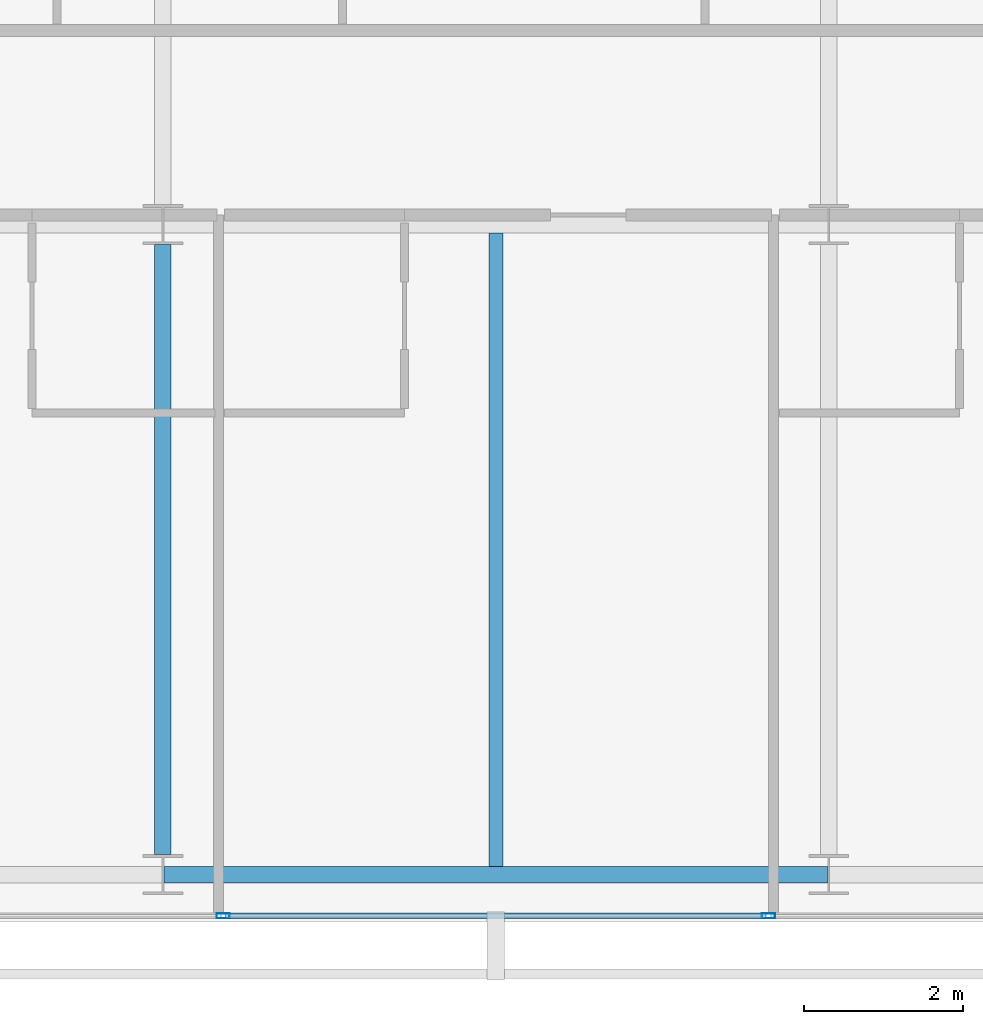
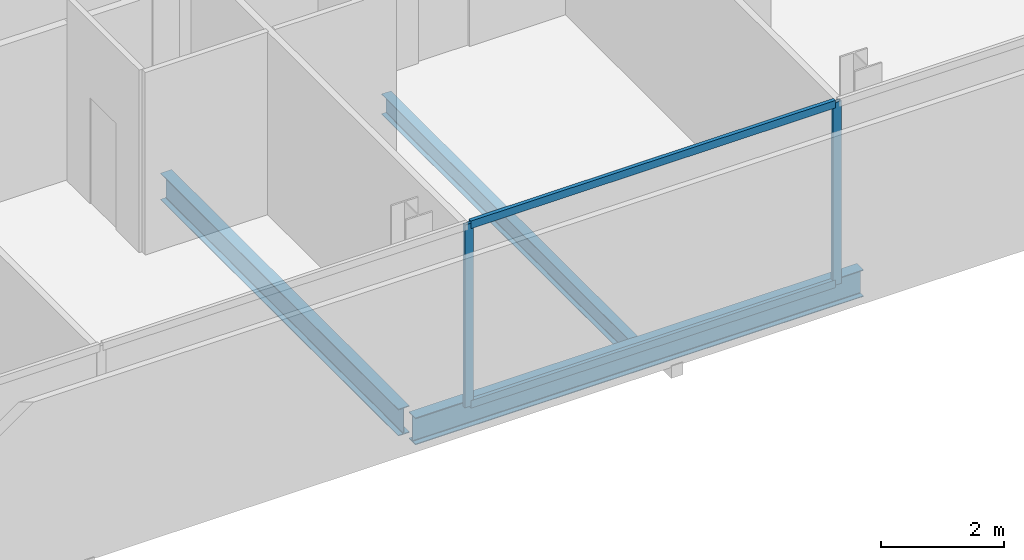
# One storey, part 6 of 26: 4 members, 3 beams, 1 element without a shape of its own.
"""IFC4 building model written with IfcOpenShell, lengths in metres."""

import ifcopenshell
import ifcopenshell.guid

model = None  # the IFC model being written
_history = None  # IfcOwnerHistory: only IFC2X3 demands one
_inside = {}  # id of a spatial element -> (the spatial element, [elements in it])
_under = {}  # id of a project, library or spatial element -> (it, [spatial elements below it])
_declared = {}  # id of a project -> (the project, [libraries it declares])
_typed = {}  # id of a type object -> (the type object, [elements of that type])
_made_of = {}  # id of a material, layer set ... -> (it, [elements and type objects made of it])


def new_model(schema):
    """Start an empty IFC model of exactly this schema.

    Asked for "IFC4X3", IfcOpenShell would pick the latest addendum, in which some entities
    have other attributes; the version numbers below select the first issue.
    IFC2X3 requires an IfcOwnerHistory on every rooted entity: one is made here for all.
    """
    global model, _history
    if schema == "IFC4X3":
        model = ifcopenshell.file(schema_version=(4, 3, 0, 0))
    else:
        model = ifcopenshell.file(schema=schema)
    _inside.clear()
    _under.clear()
    _declared.clear()
    _typed.clear()
    _made_of.clear()
    _history = None
    if model.schema == "IFC2X3":
        org = make("IfcOrganization", Name="unknown")
        user = make(
            "IfcPersonAndOrganization",
            ThePerson=make("IfcPerson", FamilyName="unknown"),
            TheOrganization=org,
        )
        app = make(
            "IfcApplication",
            ApplicationDeveloper=org,
            Version="unknown",
            ApplicationFullName="unknown",
            ApplicationIdentifier="unknown",
        )
        _history = make(
            "IfcOwnerHistory",
            OwningUser=user,
            OwningApplication=app,
            ChangeAction="ADDED",
            CreationDate=0,
        )
    return model


def make(cls, **values):
    """One entity of the class cls with the attributes given. An attribute that is None is left unset."""
    return model.create_entity(
        cls, **{name: value for name, value in values.items() if value is not None}
    )


def rooted(cls, **values):
    """An entity with a GlobalId (a new one), such as an element, a storey or a relation."""
    return make(cls, GlobalId=ifcopenshell.guid.new(), OwnerHistory=_history, **values)


def si_unit(unit_type, name, prefix=None):
    """IfcSIUnit, for example si_unit("LENGTHUNIT", "METRE", prefix="MILLI")."""
    return make("IfcSIUnit", UnitType=unit_type, Prefix=prefix, Name=name)


def assignment(units):
    """IfcUnitAssignment: the units of a project."""
    return None if units is None else make("IfcUnitAssignment", Units=units)


def point(xyz):
    """IfcCartesianPoint."""
    return None if xyz is None else make("IfcCartesianPoint", Coordinates=xyz)


def direction(xyz):
    """IfcDirection."""
    return None if xyz is None else make("IfcDirection", DirectionRatios=xyz)


def frame(location, z_axis=None, x_axis=None):
    """IfcAxis2Placement3D, a coordinate frame: its origin and axes. An axis left out is left unset."""
    return make(
        "IfcAxis2Placement3D",
        Location=point(location),
        Axis=direction(z_axis),
        RefDirection=direction(x_axis),
    )


def frame_2d(location, x_axis=None):
    """IfcAxis2Placement2D, a coordinate frame in the plane: its origin and x axis."""
    return make(
        "IfcAxis2Placement2D", Location=point(location), RefDirection=direction(x_axis)
    )


def origin():
    """The frame at (0, 0, 0) with its axes left unset."""
    return frame((0.0, 0.0, 0.0))


def origin_2d():
    """The frame at (0, 0) in the plane with its x axis left unset."""
    return frame_2d((0.0, 0.0))


def place(relative_to, where):
    """IfcLocalPlacement: puts the frame where relative to a parent placement (None: the world)."""
    return make(
        "IfcLocalPlacement", PlacementRelTo=relative_to, RelativePlacement=where
    )


def context(
    kind, dimensions, precision=None, world=None, true_north=None, identifier=None
):
    """IfcGeometricRepresentationContext, for example the 3D "Model" context."""
    return make(
        "IfcGeometricRepresentationContext",
        ContextIdentifier=identifier,
        ContextType=kind,
        CoordinateSpaceDimension=dimensions,
        Precision=precision,
        WorldCoordinateSystem=world,
        TrueNorth=true_north,
    )


def subcontext(parent, identifier, kind, view, scale=None):
    """IfcGeometricRepresentationSubContext, for example "Body" below "Model"."""
    return make(
        "IfcGeometricRepresentationSubContext",
        ContextIdentifier=identifier,
        ContextType=kind,
        ParentContext=parent,
        TargetScale=scale,
        TargetView=view,
    )


def project(units=None, contexts=None):
    """IfcProject with its units and contexts."""
    return rooted(
        "IfcProject",
        Name="project",
        RepresentationContexts=contexts,
        UnitsInContext=assignment(units),
    )


def spatial(cls, under=None, at=None, **own):
    """A site, building, storey or space (cls), placed at a placement, below another one or the project."""
    s = rooted(cls, ObjectPlacement=at, **own)
    if under is not None:
        _under.setdefault(under.id(), (under, []))[1].append(s)
    return s


def profile(cls, at=None, kind="AREA", **sizes):
    """A parametric profile (cls). Its sizes go by their IFC names, for example OverallWidth=200.0."""
    return make(cls, ProfileType=kind, Position=at, **sizes)


def hollow_rectangle(**sizes):
    """IfcRectangleHollowProfileDef."""
    return profile("IfcRectangleHollowProfileDef", **sizes)


def i_section(**sizes):
    """IfcIShapeProfileDef."""
    return profile("IfcIShapeProfileDef", **sizes)


def extrude(swept, where, along, depth):
    """IfcExtrudedAreaSolid: the profile swept, set in the frame where, extruded along a direction by depth."""
    return make(
        "IfcExtrudedAreaSolid",
        SweptArea=swept,
        Position=where,
        ExtrudedDirection=direction(along),
        Depth=depth,
    )


def shape(context_of_items, identifier, shape_type, items):
    """IfcShapeRepresentation: the items that make up one representation, for example the "Body"."""
    return make(
        "IfcShapeRepresentation",
        ContextOfItems=context_of_items,
        RepresentationIdentifier=identifier,
        RepresentationType=shape_type,
        Items=items,
    )


def material(Name=None, Category=None):
    """IfcMaterial."""
    return make("IfcMaterial", Name=Name, Category=Category)


def layer(
    of_material, thickness, ventilated=None, Name=None, Category=None, Priority=None
):
    """IfcMaterialLayer: one layer of a wall or slab, of a material (None: an air gap)."""
    return make(
        "IfcMaterialLayer",
        Material=of_material,
        LayerThickness=thickness,
        IsVentilated=ventilated,
        Name=Name,
        Category=Category,
        Priority=Priority,
    )


def layer_set(layers, Name=None):
    """IfcMaterialLayerSet."""
    return make("IfcMaterialLayerSet", MaterialLayers=layers, LayerSetName=Name)


def material_profile(
    of_material, cross_section, Name=None, Category=None, Priority=None
):
    """IfcMaterialProfile: a cross section and its material."""
    return make(
        "IfcMaterialProfile",
        Name=Name,
        Material=of_material,
        Profile=cross_section,
        Priority=Priority,
        Category=Category,
    )


def profile_set(profiles, Name=None, composite=None):
    """IfcMaterialProfileSet."""
    return make(
        "IfcMaterialProfileSet",
        Name=Name,
        MaterialProfiles=profiles,
        CompositeProfile=composite,
    )


def made_of(thing, what):
    """Note that an element or type object is made of a material, layer set ...; save() writes the relation."""
    if what is not None:
        _made_of.setdefault(what.id(), (what, []))[1].append(thing)
    return thing


def type_object(cls, material=None, **own):
    """A type object (cls), such as IfcWallType, which elements share."""
    return made_of(rooted(cls, **own), material)


def element(
    cls,
    number,
    at=None,
    inside=None,
    cuts=None,
    type_object=None,
    material=None,
    context=None,
    identifier="Body",
    shape_type=None,
    held_by="IfcProductDefinitionShape",
    body=None,
    shapes=None,
    **own,
):
    """One element of the class cls, such as IfcWall. Its Tag is "e" and its number.

    at: its placement. inside: the storey or other place that contains it. cuts: it is an
    opening in that element (IfcRelVoidsElement). A single representation is given by context,
    identifier, shape_type and body (its items); several are given by shapes. held_by: the class
    of the entity that holds the representations. save() writes the other relations.
    """
    e = rooted(cls, Tag="e%d" % number, ObjectPlacement=at, **own)
    if body is not None:
        shapes = [shape(context, identifier, shape_type, body)]
    if shapes is not None:
        e.Representation = make(held_by, Representations=shapes)
    if inside is not None:
        _inside.setdefault(inside.id(), (inside, []))[1].append(e)
    if cuts is not None:
        rooted(
            "IfcRelVoidsElement", RelatingBuildingElement=cuts, RelatedOpeningElement=e
        )
    if type_object is not None:
        _typed.setdefault(type_object.id(), (type_object, []))[1].append(e)
    return made_of(e, material)


def aggregate(whole, parts):
    """IfcRelAggregates: a whole, such as a stair, and the parts it consists of."""
    return rooted("IfcRelAggregates", RelatingObject=whole, RelatedObjects=parts)


def save(model, path):
    """Write the relations noted so far, then the file.

    IfcRelAggregates (storeys below a building ...), IfcRelContainedInSpatialStructure (elements
    in a storey), IfcRelDefinesByType, IfcRelAssociatesMaterial and IfcRelDeclares: one each for
    every whole, place, type object, material and project.
    """
    for whole, parts in _under.values():
        aggregate(whole, parts)
    for where, things in _inside.values():
        rooted(
            "IfcRelContainedInSpatialStructure",
            RelatedElements=things,
            RelatingStructure=where,
        )
    for kind, things in _typed.values():
        rooted("IfcRelDefinesByType", RelatedObjects=things, RelatingType=kind)
    for what, things in _made_of.values():
        rooted("IfcRelAssociatesMaterial", RelatedObjects=things, RelatingMaterial=what)
    for by, libraries in _declared.values():
        rooted("IfcRelDeclares", RelatingContext=by, RelatedDefinitions=libraries)
    model.write(path)


model = new_model("IFC4")

# Units and contexts
model_context = context("Model", 3, precision=1e-05, world=origin(), true_north=direction((0.0, 1.0)))
body_context = subcontext(model_context, "Body", "Model", "MODEL_VIEW")
ifc_project = project(units=[si_unit("LENGTHUNIT", "METRE"), si_unit("AREAUNIT", "SQUARE_METRE"), si_unit("VOLUMEUNIT", "CUBIC_METRE"), si_unit("PLANEANGLEUNIT", "RADIAN"), si_unit("MASSUNIT", "GRAM", prefix="KILO")], contexts=[model_context])

# Site, building, storey
site_placement = place(None, origin())
site = spatial("IfcSite", under=ifc_project, at=site_placement, CompositionType="ELEMENT")
building_placement = place(site_placement, origin())
building = spatial("IfcBuilding", under=site, at=building_placement, Name="Maruvema Waterfront Hotel and Observation Tower", CompositionType="ELEMENT")
storey_placement = place(building_placement, frame((0.0, 0.0, 266.35009765625)))
storey = spatial("IfcBuildingStorey", under=building, at=storey_placement, Name="L65", CompositionType="ELEMENT", Elevation=266.35009765625)

# Curtain wall, members
ifc_material_1 = material(Name="Anodised bronze aluminium and solar-control low-E IGU", Category="aluminium")
ifc_layer = layer(ifc_material_1, 0.159912109375, Name="Zone 3 Champagne Inner Thermal Curtain Wall System CW-04")
ifc_layer_set = layer_set([ifc_layer], Name="Anodised bronze aluminium and solar-control low-E IGU")
curtain_wall_type = type_object("IfcCurtainWallType", Name="Zone 3 Champagne Inner Thermal Curtain Wall System CW-04", PredefinedType="USERDEFINED", material=ifc_layer_set)
curtain_wall_placement = place(storey_placement, origin())
curtain_wall = element("IfcCurtainWall", 1, at=curtain_wall_placement, inside=storey, type_object=curtain_wall_type, Name="L65 Curtain Wall CW-L65-S", ObjectType="UNITISED CURTAIN WALL", PredefinedType="USERDEFINED")
ifc_material_2 = material(Name="Anodised architectural bronze aluminium", Category="aluminium")
ifc_material_profile_1 = material_profile(ifc_material_2, hollow_rectangle(XDim=0.070068359375, YDim=0.14990234375, WallThickness=0.00390625, at=origin_2d()), Name="ALU-T70x150")
ifc_profile_set_1 = profile_set([ifc_material_profile_1], Name="Anodised architectural bronze aluminium")
member_type_1 = type_object("IfcMemberType", Name="Curtain Wall Horizontal Transom ALU-T70x150", PredefinedType="USERDEFINED", material=ifc_profile_set_1)
member_1_placement = place(storey_placement, frame((34.389892578125, 9.280029296875, 0.02978515625), z_axis=(1.0, 0.0, 0.0), x_axis=(0.0, 1.0, 0.0)))
member_1 = element("IfcMember", 2, at=member_1_placement, type_object=member_type_1, Name="CW-04 transom 3.1", ObjectType="TRANSOM", PredefinedType="USERDEFINED", context=body_context, shape_type="SweptSolid", body=[
    extrude(hollow_rectangle(XDim=0.070068359375, YDim=0.14990234375, WallThickness=0.00390625, at=origin_2d()), origin(), (0.0, 0.0, 1.0), 6.820068359375),
])
member_2_placement = place(storey_placement, frame((34.389892578125, 9.280029296875, 3.579833984375), z_axis=(1.0, 0.0, 0.0), x_axis=(0.0, 1.0, 0.0)))
member_2 = element("IfcMember", 3, at=member_2_placement, type_object=member_type_1, Name="CW-04 transom 3.2", ObjectType="TRANSOM", PredefinedType="USERDEFINED", context=body_context, shape_type="SweptSolid", body=[
    extrude(hollow_rectangle(XDim=0.070068359375, YDim=0.14990234375, WallThickness=0.00390625, at=origin_2d()), origin(), (0.0, 0.0, 1.0), 6.820068359375),
])
ifc_material_3 = material(Name="Anodised architectural bronze aluminium", Category="aluminium")
ifc_material_profile_2 = material_profile(ifc_material_3, hollow_rectangle(XDim=0.06494140625, YDim=0.1650390625, WallThickness=0.00390625, at=origin_2d()), Name="ALU-M65x165")
ifc_profile_set_2 = profile_set([ifc_material_profile_2], Name="Anodised architectural bronze aluminium")
member_type_2 = type_object("IfcMemberType", Name="Curtain Wall Primary Mullion ALU-M65x165", PredefinedType="MULLION", material=ifc_profile_set_2)
member_3_placement = place(storey_placement, frame((34.360107421875, 9.280029296875, 0.0), z_axis=(0.0, 0.0, 1.0), x_axis=(0.0, 1.0, 0.0)))
member_3 = element("IfcMember", 4, at=member_3_placement, type_object=member_type_2, Name="CW-04 mullion 3", PredefinedType="MULLION", context=body_context, shape_type="SweptSolid", body=[
    extrude(hollow_rectangle(XDim=0.06494140625, YDim=0.1650390625, WallThickness=0.00390625, at=origin_2d()), origin(), (0.0, 0.0, 1.0), 3.60986328125),
])
member_4_placement = place(storey_placement, frame((41.239990234375, 9.280029296875, 0.0), z_axis=(0.0, 0.0, 1.0), x_axis=(0.0, 1.0, 0.0)))
member_4 = element("IfcMember", 5, at=member_4_placement, type_object=member_type_2, Name="CW-04 mullion 4", PredefinedType="MULLION", context=body_context, shape_type="SweptSolid", body=[
    extrude(hollow_rectangle(XDim=0.06494140625, YDim=0.1650390625, WallThickness=0.00390625, at=origin_2d()), origin(), (0.0, 0.0, 1.0), 3.60986328125),
])
aggregate(curtain_wall, [member_3, member_4, member_1, member_2])

# Beams
ifc_material_4 = material(Name="Steel ASTM A572 Grade 50", Category="steel")
ifc_material_profile_3 = material_profile(ifc_material_4, i_section(OverallWidth=0.208984375, OverallDepth=0.532958984375, WebThickness=0.01025390625, FlangeThickness=0.015625, FilletRadius=0.014892578125, at=origin_2d()), Name="W530x92.0")
ifc_profile_set_3 = profile_set([ifc_material_profile_3], Name="Steel ASTM A572 Grade 50")
beam_type_1 = type_object("IfcBeamType", Name="Primary Floor Girder W530x92.0", PredefinedType="BEAM", material=ifc_profile_set_3)
beam_1_placement = place(storey_placement, frame((33.611083984375, 9.800048828125, -0.506591796875), z_axis=(1.0, 0.0, 0.0), x_axis=(0.0, 1.0, 0.0)))
element("IfcBeam", 6, at=beam_1_placement, inside=storey, type_object=beam_type_1, Name="L65 Floor Girder EW-02", PredefinedType="BEAM", context=body_context, shape_type="SweptSolid", body=[
    extrude(i_section(OverallWidth=0.208984375, OverallDepth=0.532958984375, WebThickness=0.01025390625, FlangeThickness=0.015625, FilletRadius=0.014892578125, at=origin_2d()), origin(), (0.0, 0.0, 1.0), 8.3779296875),
])
beam_2_placement = place(storey_placement, frame((33.60009765625, 10.050048828125, -0.506591796875), z_axis=(0.0, 1.0, 0.0), x_axis=(-1.0, 0.0, 0.0)))
element("IfcBeam", 7, at=beam_2_placement, inside=storey, type_object=beam_type_1, Name="L65 Floor Girder NS-08", PredefinedType="BEAM", context=body_context, shape_type="SweptSolid", body=[
    extrude(i_section(OverallWidth=0.208984375, OverallDepth=0.532958984375, WebThickness=0.01025390625, FlangeThickness=0.015625, FilletRadius=0.014892578125, at=origin_2d()), origin(), (0.0, 0.0, 1.0), 7.699951171875),
])
ifc_material_5 = material(Name="Steel ASTM A572 Grade 50", Category="steel")
ifc_material_profile_4 = material_profile(ifc_material_5, i_section(OverallWidth=0.177001953125, OverallDepth=0.403076171875, WebThickness=0.007568359375, FlangeThickness=0.010986328125, FilletRadius=0.014892578125, at=origin_2d()), Name="W410x53.0")
ifc_profile_set_4 = profile_set([ifc_material_profile_4], Name="Steel ASTM A572 Grade 50")
beam_type_2 = type_object("IfcBeamType", Name="Secondary Floor Joist W410x53.0", PredefinedType="JOIST", material=ifc_profile_set_4)
beam_3_placement = place(storey_placement, frame((37.800048828125, 9.904541015625, -0.441650390625), z_axis=(0.0, 1.0, 0.0), x_axis=(-1.0, 0.0, 0.0)))
element("IfcBeam", 8, at=beam_3_placement, inside=storey, type_object=beam_type_2, Name="L65 Secondary Floor Joist JS-05", PredefinedType="JOIST", context=body_context, shape_type="SweptSolid", body=[
    extrude(i_section(OverallWidth=0.177001953125, OverallDepth=0.403076171875, WebThickness=0.007568359375, FlangeThickness=0.010986328125, FilletRadius=0.014892578125, at=origin_2d()), origin(), (0.0, 0.0, 1.0), 7.990966796875),
])

save(model, "model.ifc")
